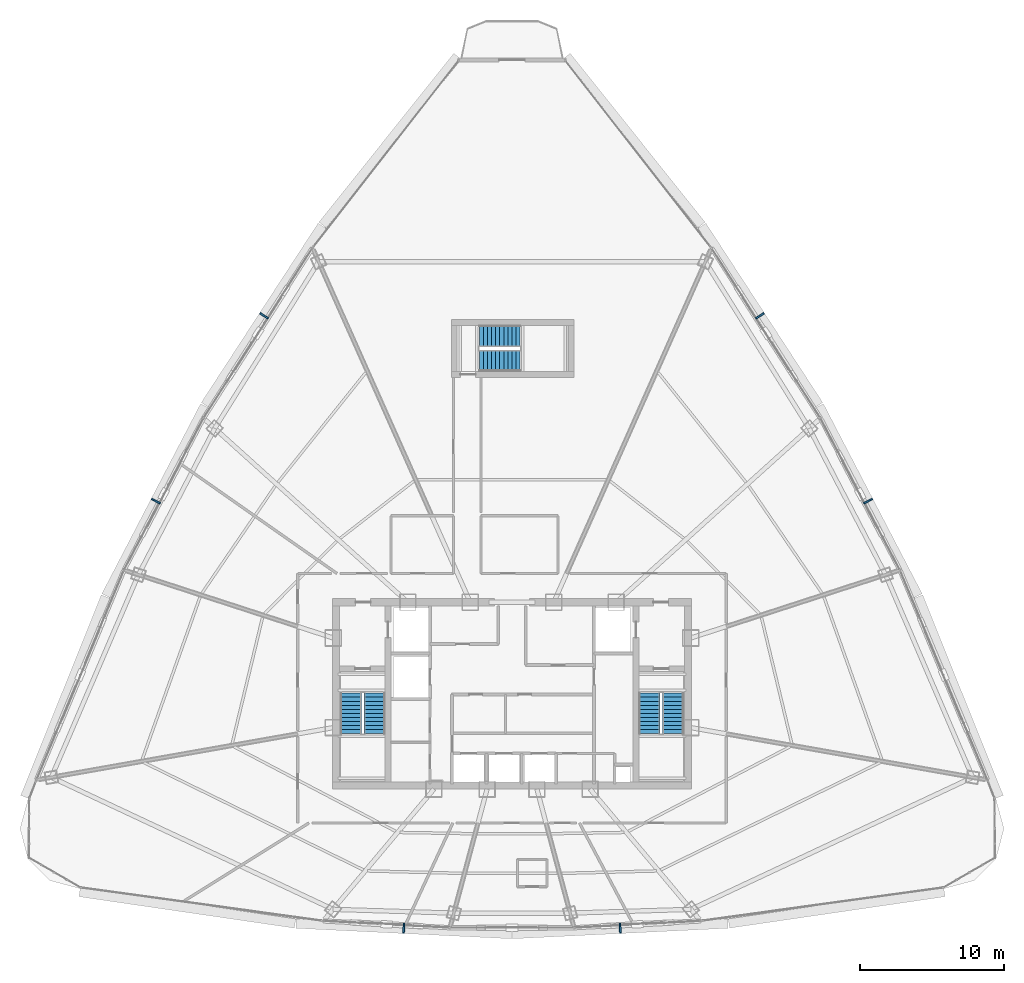
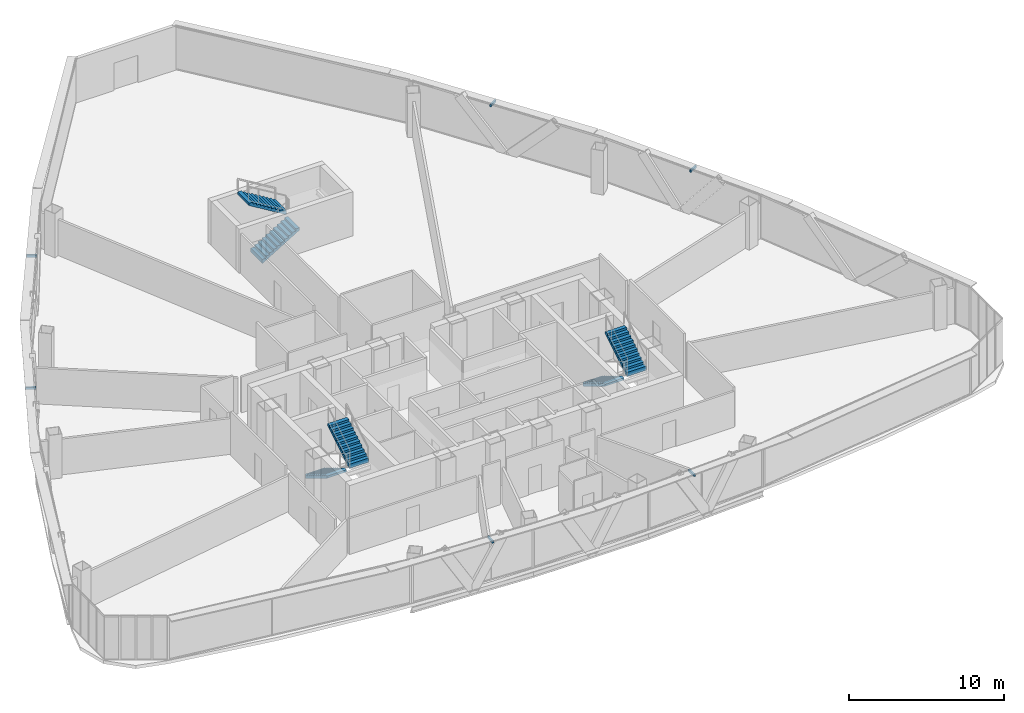
# One storey, part 32 of 36: 6 discrete accessories, 6 stair flights, 3 elements without a shape of their own.
"""IFC4 building model written with IfcOpenShell, lengths in metres."""

from ifc_helpers import new_model, si_unit, direction, frame, origin, origin_2d, place, context, subcontext, project, spatial, polyline, rectangle, outline, extrude, source, transform, mapped, material, type_object, element, aggregate, save


model = new_model("IFC4")

# Units and contexts
model_context = context("Model", 3, precision=1e-05, world=origin(), true_north=direction((0.0, 1.0)))
body_context = subcontext(model_context, "Body", "Model", "MODEL_VIEW")
ifc_project = project(units=[si_unit("LENGTHUNIT", "METRE"), si_unit("AREAUNIT", "SQUARE_METRE"), si_unit("VOLUMEUNIT", "CUBIC_METRE"), si_unit("PLANEANGLEUNIT", "RADIAN"), si_unit("MASSUNIT", "GRAM", prefix="KILO"), si_unit("THERMODYNAMICTEMPERATUREUNIT", "KELVIN"), si_unit("POWERUNIT", "WATT")], contexts=[model_context])

# Site, building, storey
site_placement = place(None, origin())
site = spatial("IfcSite", under=ifc_project, at=site_placement, CompositionType="ELEMENT")
building_placement = place(site_placement, origin())
building = spatial("IfcBuilding", under=site, at=building_placement, Name="Yunzhuo Pagoda Commons", CompositionType="ELEMENT")
storey_placement = place(building_placement, frame((0.0, 0.0, 263.179931640625)))
storey = spatial("IfcBuildingStorey", under=building, at=storey_placement, Name="L66", CompositionType="ELEMENT", Elevation=263.179931640625)

# Stair, stair flights
ifc_material_1 = material(Name="Concrete C40", Category="concrete")
stair_type_1 = type_object("IfcStairType", Name="ST-C1 Core Smokeproof Stair ST1", PredefinedType="HALF_TURN_STAIR", material=ifc_material_1)
stair_1_placement = place(storey_placement, origin())
stair_1 = element("IfcStair", 1, at=stair_1_placement, inside=storey, type_object=stair_type_1, Name="L66 Core smokeproof stair ST1", PredefinedType="HALF_TURN_STAIR")
stair_flight_type_1 = type_object("IfcStairFlightType", Name="STF-C1 Core Stair Flight 1450", PredefinedType="STRAIGHT", material=ifc_material_1)
shared_shape_1 = source(origin(), body_context, "Body", "SweptSolid", [
    extrude(outline(polyline([(0.0, -0.14990234375), (0.0, 0.0), (0.0, 0.16943359375), (0.280029296875, 0.16943359375), (0.280029296875, 0.339111328125), (0.56005859375, 0.339111328125), (0.56005859375, 0.508544921875), (0.840087890625, 0.508544921875), (0.840087890625, 0.67822265625), (1.1201171875, 0.67822265625), (1.1201171875, 0.84765625), (1.39990234375, 0.84765625), (1.39990234375, 1.017333984375), (1.679931640625, 1.017333984375), (1.679931640625, 1.186767578125), (1.9599609375, 1.186767578125), (1.9599609375, 1.3564453125), (2.239990234375, 1.3564453125), (2.239990234375, 1.52587890625), (2.52001953125, 1.52587890625), (2.52001953125, 1.695556640625), (2.800048828125, 1.695556640625), (2.800048828125, 1.864990234375), (2.800048828125, 1.520263671875), (0.289306640625, 0.0), (0.050048828125, -0.14990234375), (0.0, -0.14990234375)])), frame((0.0, 0.72509765625, 0.0), z_axis=(0.0, -1.0, 0.0), x_axis=(1.0, 0.0, 0.0)), (0.0, 0.0, 1.0), 1.449951171875),
])
stair_flight_1_placement = place(storey_placement, frame((36.824951171875, 33.89990234375, 0.0), z_axis=(0.0, 0.0, 1.0), x_axis=(0.0, -1.0, 0.0)))
stair_flight_1 = element("IfcStairFlight", 2, at=stair_flight_1_placement, type_object=stair_flight_type_1, Name="ST1 flight 1", NumberOfRisers=11, NumberOfTreads=10, PredefinedType="STRAIGHT", RiserHeight=0.169545455, TreadLength=0.28, context=body_context, shape_type="MappedRepresentation", body=[
    mapped(shared_shape_1, transform((0.0, 0.0, 0.0), scale=1.0)),
])
stair_flight_2_placement = place(storey_placement, frame((38.47509765625, 31.10009765625, 1.864990234375), z_axis=(0.0, 0.0, 1.0), x_axis=(0.0, 1.0, 0.0)))
stair_flight_2 = element("IfcStairFlight", 3, at=stair_flight_2_placement, type_object=stair_flight_type_1, Name="ST1 flight 2", NumberOfRisers=11, NumberOfTreads=10, PredefinedType="STRAIGHT", RiserHeight=0.169545455, TreadLength=0.28, context=body_context, shape_type="MappedRepresentation", body=[
    mapped(shared_shape_1, transform((0.0, 0.0, 0.0), scale=1.0)),
])
aggregate(stair_1, [stair_flight_1, stair_flight_2])

stair_type_2 = type_object("IfcStairType", Name="ST-C2 Core Smokeproof Stair ST2", PredefinedType="HALF_TURN_STAIR", material=ifc_material_1)
stair_2_placement = place(storey_placement, origin())
stair_2 = element("IfcStair", 4, at=stair_2_placement, inside=storey, type_object=stair_type_2, Name="L66 Core smokeproof stair ST2", PredefinedType="HALF_TURN_STAIR")
stair_flight_type_2 = type_object("IfcStairFlightType", Name="STF-C2 Core Stair Flight 1460", PredefinedType="STRAIGHT", material=ifc_material_1)
stair_flight_3_placement = place(storey_placement, frame((57.52490234375, 33.89990234375, 0.0), z_axis=(0.0, 0.0, 1.0), x_axis=(0.0, -1.0, 0.0)))
stair_flight_3 = element("IfcStairFlight", 5, at=stair_flight_3_placement, type_object=stair_flight_type_2, Name="ST2 flight 1", NumberOfRisers=11, NumberOfTreads=10, PredefinedType="STRAIGHT", RiserHeight=0.169545455, TreadLength=0.28, context=body_context, shape_type="MappedRepresentation", body=[
    mapped(shared_shape_1, transform((0.0, 0.0, 0.0), scale=1.0)),
])
stair_flight_4_placement = place(storey_placement, frame((59.175048828125, 31.10009765625, 1.864990234375), z_axis=(0.0, 0.0, 1.0), x_axis=(0.0, 1.0, 0.0)))
stair_flight_4 = element("IfcStairFlight", 6, at=stair_flight_4_placement, type_object=stair_flight_type_2, Name="ST2 flight 2", NumberOfRisers=11, NumberOfTreads=10, PredefinedType="STRAIGHT", RiserHeight=0.169545455, TreadLength=0.28, context=body_context, shape_type="MappedRepresentation", body=[
    mapped(shared_shape_1, transform((0.0, 0.0, 0.0), scale=1.0)),
])
aggregate(stair_2, [stair_flight_3, stair_flight_4])

stair_type_3 = type_object("IfcStairType", Name="ST-C3 North Tower Smokeproof Stair ST3", PredefinedType="HALF_TURN_STAIR", material=ifc_material_1)
stair_3_placement = place(storey_placement, origin())
stair_3 = element("IfcStair", 7, at=stair_3_placement, inside=storey, type_object=stair_type_3, Name="L66 North tower smokeproof stair ST3", PredefinedType="HALF_TURN_STAIR")
stair_flight_type_3 = type_object("IfcStairFlightType", Name="STF-C3 North Stair Flight 1500", PredefinedType="STRAIGHT", material=ifc_material_1)
shared_shape_2 = source(origin(), body_context, "Body", "SweptSolid", [
    extrude(outline(polyline([(0.0, -0.14990234375), (0.0, 0.0), (0.0, 0.16943359375), (0.280029296875, 0.16943359375), (0.280029296875, 0.339111328125), (0.56005859375, 0.339111328125), (0.56005859375, 0.508544921875), (0.840087890625, 0.508544921875), (0.840087890625, 0.67822265625), (1.1201171875, 0.67822265625), (1.1201171875, 0.84765625), (1.39990234375, 0.84765625), (1.39990234375, 1.017333984375), (1.679931640625, 1.017333984375), (1.679931640625, 1.186767578125), (1.9599609375, 1.186767578125), (1.9599609375, 1.3564453125), (2.239990234375, 1.3564453125), (2.239990234375, 1.52587890625), (2.52001953125, 1.52587890625), (2.52001953125, 1.695556640625), (2.800048828125, 1.695556640625), (2.800048828125, 1.864990234375), (2.800048828125, 1.520263671875), (0.289306640625, 0.0), (0.050048828125, -0.14990234375), (0.0, -0.14990234375)])), frame((0.0, 0.75, 0.0), z_axis=(0.0, -1.0, 0.0), x_axis=(1.0, 0.0, 0.0)), (0.0, 0.0, 1.0), 1.5),
])
stair_flight_5_placement = place(storey_placement, frame((45.75, 56.949951171875, 0.0), z_axis=(0.0, 0.0, 1.0), x_axis=(1.0, 0.0, 0.0)))
stair_flight_5 = element("IfcStairFlight", 8, at=stair_flight_5_placement, type_object=stair_flight_type_3, Name="ST3 flight 1", NumberOfRisers=11, NumberOfTreads=10, PredefinedType="STRAIGHT", RiserHeight=0.169545455, TreadLength=0.28, context=body_context, shape_type="MappedRepresentation", body=[
    mapped(shared_shape_2, transform((0.0, 0.0, 0.0), scale=1.0)),
])
stair_flight_6_placement = place(storey_placement, frame((48.550048828125, 58.64990234375, 1.864990234375), z_axis=(0.0, 0.0, 1.0), x_axis=(-1.0, 0.0, 0.0)))
stair_flight_6 = element("IfcStairFlight", 9, at=stair_flight_6_placement, type_object=stair_flight_type_3, Name="ST3 flight 2", NumberOfRisers=11, NumberOfTreads=10, PredefinedType="STRAIGHT", RiserHeight=0.169545455, TreadLength=0.28, context=body_context, shape_type="MappedRepresentation", body=[
    mapped(shared_shape_2, transform((0.0, 0.0, 0.0), scale=1.0)),
])
aggregate(stair_3, [stair_flight_5, stair_flight_6])

# Discrete accessories
ifc_material_2 = material(Name="Anodized aluminium 6063-T6", Category="aluminium")
discrete_accessory_type = type_object("IfcDiscreteAccessoryType", Name="BK-SUN1 Sunshade Outrigger Bracket", PredefinedType="BRACKET", material=ifc_material_2)
shared_shape_3 = source(origin(), body_context, "Body", "SweptSolid", [
    extrude(rectangle(XDim=0.1201171875, YDim=0.679931640625, at=origin_2d()), origin(), (0.0, 0.0, 1.0), 0.179931640625),
])
for number, where, z_axis, x_axis, name in (
    (10, (40.49853515625, 17.6025390625, 3.26025390625), (0.0, 0.0, 1.0), (0.998818043775, -0.04860571396, 0.0), "L66 sunshade outrigger bracket F1.2"),
    (11, (55.50146484375, 17.6025390625, 3.26025390625), (0.0, 0.0, 1.0), (0.998818043775, 0.04860571396, 0.0), "L66 sunshade outrigger bracket F1.3"),
    (12, (72.690185546875, 47.218017578125, 3.26025390625), (0.0, 0.0, 1.0), (-0.461206683033, 0.88729273384, 0.0), "L66 sunshade outrigger bracket F2.2"),
    (13, (65.1884765625, 60.0693359375, 3.26025390625), (0.0, 0.0, 1.0), (-0.545838756973, 0.837890238269, 0.0), "L66 sunshade outrigger bracket F2.3"),
    (14, (30.8115234375, 60.0693359375, 3.26025390625), (0.0, 0.0, 1.0), (-0.545838756973, -0.837890238269, 0.0), "L66 sunshade outrigger bracket F3.2"),
    (15, (23.309814453125, 47.218017578125, 3.26025390625), (0.0, 0.0, 1.0), (-0.461206683033, -0.88729273384, 0.0), "L66 sunshade outrigger bracket F3.3"),
):
    element("IfcDiscreteAccessory", number, at=place(storey_placement, frame(where, z_axis=z_axis, x_axis=x_axis)), inside=storey, type_object=discrete_accessory_type, Name=name, PredefinedType="BRACKET", context=body_context, shape_type="MappedRepresentation", body=[
        mapped(shared_shape_3, transform((0.0, 0.0, 0.0), scale=1.0)),
    ])

save(model, "model.ifc")
